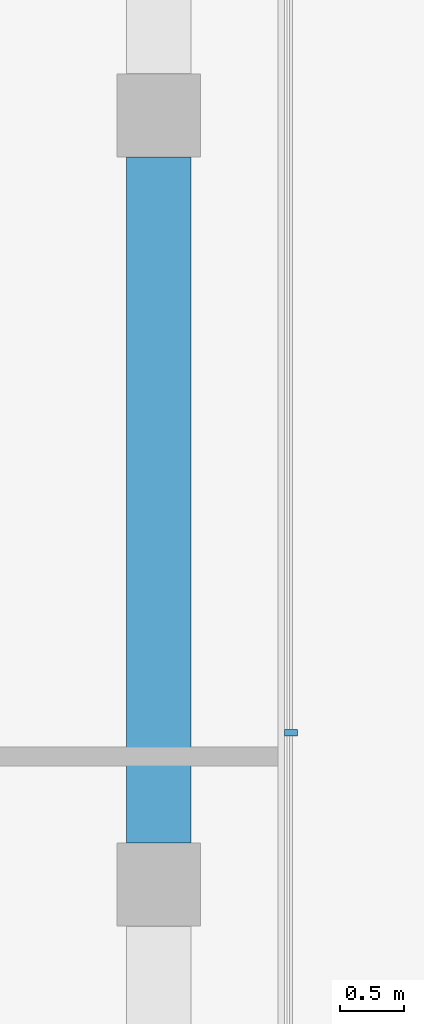
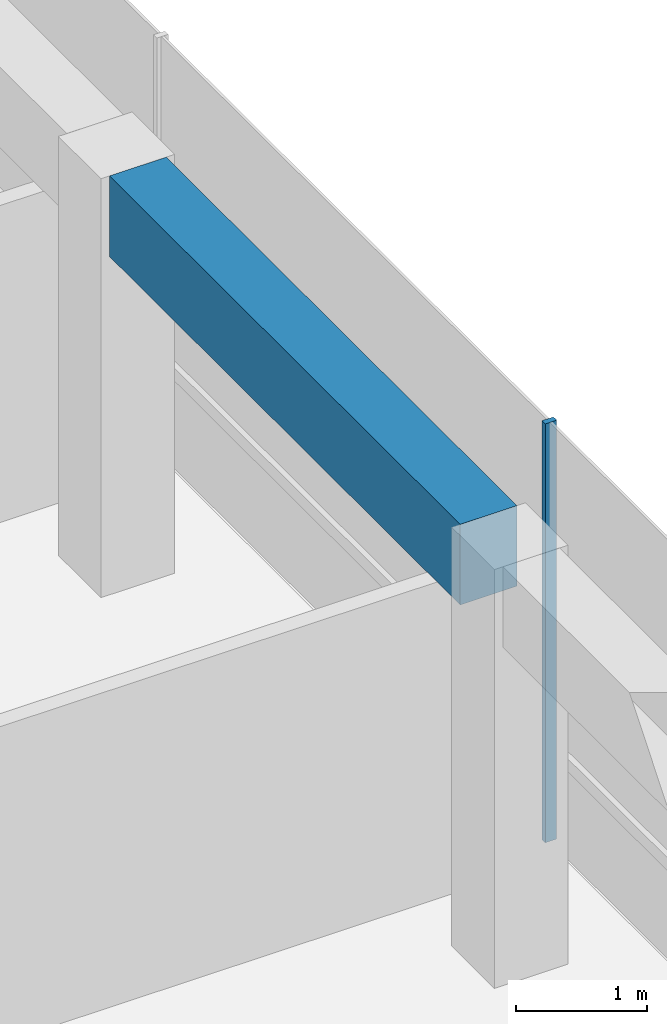
# One storey, part 12 of 20: 1 beam, 1 member, 1 element without a shape of its own.
"""IFC4 building model written with IfcOpenShell, lengths in metres."""

from ifc_helpers import new_model, si_unit, direction, frame, origin, origin_2d, place, context, subcontext, project, spatial, rectangle, extrude, material, layer, layer_set, material_profile, profile_set, type_object, element, aggregate, save


model = new_model("IFC4")

# Units and contexts
model_context = context("Model", 3, precision=1e-05, world=origin(), true_north=direction((0.0, 1.0)))
body_context = subcontext(model_context, "Body", "Model", "MODEL_VIEW")
ifc_project = project(units=[si_unit("LENGTHUNIT", "METRE"), si_unit("AREAUNIT", "SQUARE_METRE"), si_unit("VOLUMEUNIT", "CUBIC_METRE"), si_unit("PLANEANGLEUNIT", "RADIAN"), si_unit("MASSUNIT", "GRAM", prefix="KILO")], contexts=[model_context])

# Site, building, storey
site_placement = place(None, origin())
site = spatial("IfcSite", under=ifc_project, at=site_placement, CompositionType="ELEMENT")
building_placement = place(site_placement, origin())
building = spatial("IfcBuilding", under=site, at=building_placement, Name="Welwitschia Terrace Campus", CompositionType="ELEMENT")
storey_placement = place(building_placement, frame((0.0, 0.0, 314.60009765625)))
storey = spatial("IfcBuildingStorey", under=building, at=storey_placement, Name="L70", CompositionType="ELEMENT", Elevation=314.60009765625)

# Curtain wall, member
ifc_material_1 = material(Name="Bronze anodised aluminium", Category="aluminium")
ifc_layer = layer(ifc_material_1, 0.10009765625)
ifc_layer_set = layer_set([ifc_layer], Name="Bronze anodised aluminium")
curtain_wall_type = type_object("IfcCurtainWallType", Name="Curtain wall CW5 crown 6000", PredefinedType="NOTDEFINED", material=ifc_layer_set)
curtain_wall_placement = place(storey_placement, origin())
curtain_wall = element("IfcCurtainWall", 1, at=curtain_wall_placement, inside=storey, type_object=curtain_wall_type, Name="CW L70.5.0", PredefinedType="NOTDEFINED")
ifc_material_2 = material(Name="Bronze anodised aluminium", Category="aluminium")
ifc_material_profile_1 = material_profile(ifc_material_2, rectangle(XDim=0.10009765625, YDim=0.050048828125, at=origin_2d()))
ifc_profile_set_1 = profile_set([ifc_material_profile_1], Name="Bronze anodised aluminium")
member_type = type_object("IfcMemberType", Name="Mullion 50x100", PredefinedType="MULLION", material=ifc_profile_set_1)
member_placement = place(storey_placement, frame((25.030029296875, 39.182861328125, 0.0), z_axis=(0.0, 0.0, 1.0), x_axis=(-1.0, 0.0, 0.0)))
member = element("IfcMember", 2, at=member_placement, type_object=member_type, Name="Mullion L70.5.0.3", PredefinedType="MULLION", context=body_context, shape_type="SweptSolid", body=[
    extrude(rectangle(XDim=0.10009765625, YDim=0.050048828125, at=origin_2d()), origin(), (0.0, 0.0, 1.0), 3.89990234375),
])
aggregate(curtain_wall, [member])

# Beam
ifc_material_3 = material(Name="Concrete C40/50", Category="concrete")
ifc_material_profile_2 = material_profile(ifc_material_3, rectangle(XDim=0.5, YDim=0.75, at=origin_2d()))
ifc_profile_set_2 = profile_set([ifc_material_profile_2], Name="Concrete C40/50")
beam_type = type_object("IfcBeamType", Name="Ring spandrel 500x750", PredefinedType="SPANDREL", material=ifc_profile_set_2)
beam_placement = place(storey_placement, frame((24.0, 38.325439453125, 3.52490234375), z_axis=(0.0, 1.0, 0.0), x_axis=(-1.0, 0.0, 0.0)))
element("IfcBeam", 3, at=beam_placement, inside=storey, type_object=beam_type, Name="Spandrel SP5", PredefinedType="SPANDREL", context=body_context, shape_type="SweptSolid", body=[
    extrude(rectangle(XDim=0.5, YDim=0.75, at=origin_2d()), origin(), (0.0, 0.0, 1.0), 5.34912109375),
])

save(model, "model.ifc")
